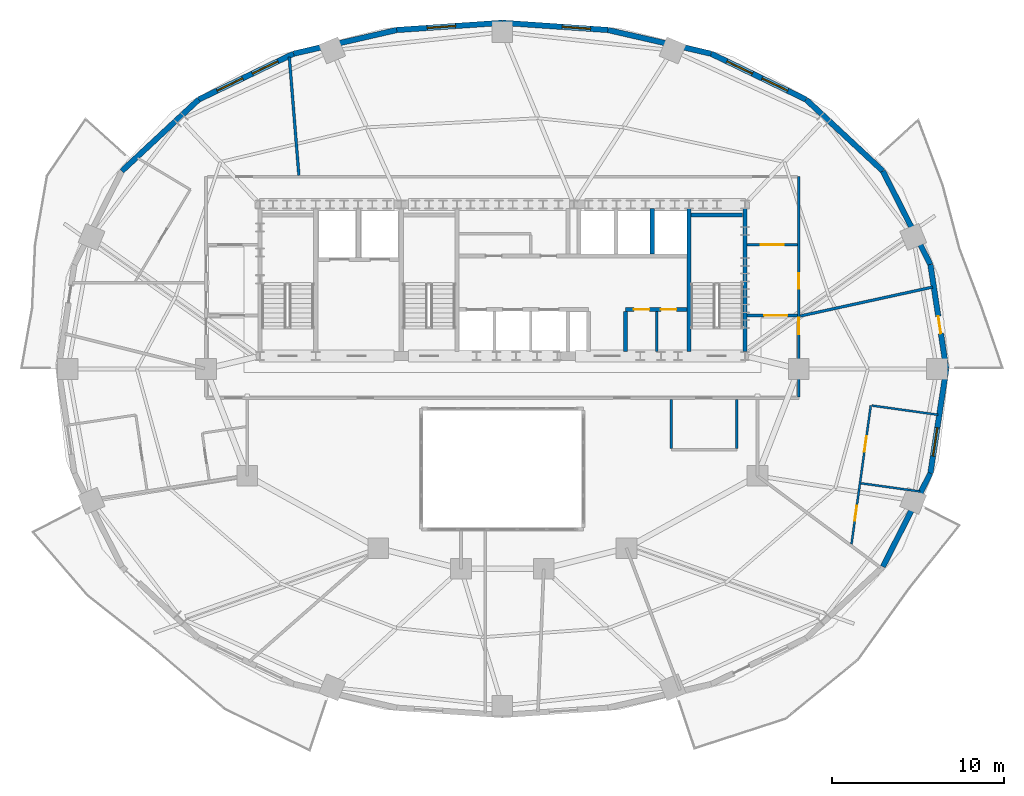
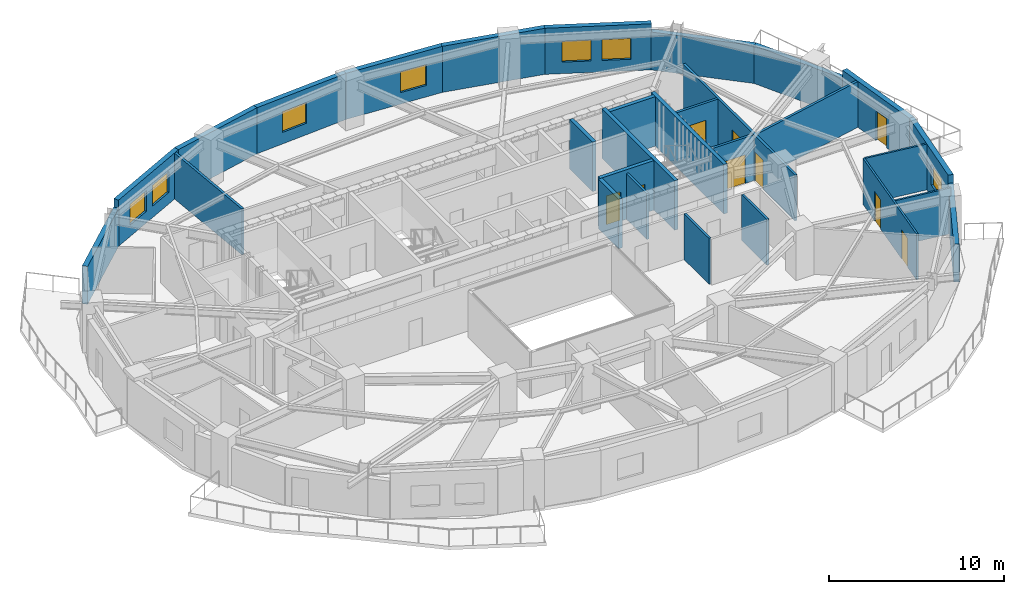
# One storey, part 8 of 12: 29 walls, 9 doors, 7 windows, 16 openings.
"""IFC4 building model written with IfcOpenShell, lengths in metres."""

import ifcopenshell
import ifcopenshell.guid

model = None  # the IFC model being written
_history = None  # IfcOwnerHistory: only IFC2X3 demands one
_inside = {}  # id of a spatial element -> (the spatial element, [elements in it])
_under = {}  # id of a project, library or spatial element -> (it, [spatial elements below it])
_declared = {}  # id of a project -> (the project, [libraries it declares])
_typed = {}  # id of a type object -> (the type object, [elements of that type])
_made_of = {}  # id of a material, layer set ... -> (it, [elements and type objects made of it])


def new_model(schema):
    """Start an empty IFC model of exactly this schema.

    Asked for "IFC4X3", IfcOpenShell would pick the latest addendum, in which some entities
    have other attributes; the version numbers below select the first issue.
    IFC2X3 requires an IfcOwnerHistory on every rooted entity: one is made here for all.
    """
    global model, _history
    if schema == "IFC4X3":
        model = ifcopenshell.file(schema_version=(4, 3, 0, 0))
    else:
        model = ifcopenshell.file(schema=schema)
    _inside.clear()
    _under.clear()
    _declared.clear()
    _typed.clear()
    _made_of.clear()
    _history = None
    if model.schema == "IFC2X3":
        org = make("IfcOrganization", Name="unknown")
        user = make(
            "IfcPersonAndOrganization",
            ThePerson=make("IfcPerson", FamilyName="unknown"),
            TheOrganization=org,
        )
        app = make(
            "IfcApplication",
            ApplicationDeveloper=org,
            Version="unknown",
            ApplicationFullName="unknown",
            ApplicationIdentifier="unknown",
        )
        _history = make(
            "IfcOwnerHistory",
            OwningUser=user,
            OwningApplication=app,
            ChangeAction="ADDED",
            CreationDate=0,
        )
    return model


def make(cls, **values):
    """One entity of the class cls with the attributes given. An attribute that is None is left unset."""
    return model.create_entity(
        cls, **{name: value for name, value in values.items() if value is not None}
    )


def rooted(cls, **values):
    """An entity with a GlobalId (a new one), such as an element, a storey or a relation."""
    return make(cls, GlobalId=ifcopenshell.guid.new(), OwnerHistory=_history, **values)


def si_unit(unit_type, name, prefix=None):
    """IfcSIUnit, for example si_unit("LENGTHUNIT", "METRE", prefix="MILLI")."""
    return make("IfcSIUnit", UnitType=unit_type, Prefix=prefix, Name=name)


def assignment(units):
    """IfcUnitAssignment: the units of a project."""
    return None if units is None else make("IfcUnitAssignment", Units=units)


def point(xyz):
    """IfcCartesianPoint."""
    return None if xyz is None else make("IfcCartesianPoint", Coordinates=xyz)


def direction(xyz):
    """IfcDirection."""
    return None if xyz is None else make("IfcDirection", DirectionRatios=xyz)


def frame(location, z_axis=None, x_axis=None):
    """IfcAxis2Placement3D, a coordinate frame: its origin and axes. An axis left out is left unset."""
    return make(
        "IfcAxis2Placement3D",
        Location=point(location),
        Axis=direction(z_axis),
        RefDirection=direction(x_axis),
    )


def frame_2d(location, x_axis=None):
    """IfcAxis2Placement2D, a coordinate frame in the plane: its origin and x axis."""
    return make(
        "IfcAxis2Placement2D", Location=point(location), RefDirection=direction(x_axis)
    )


def origin():
    """The frame at (0, 0, 0) with its axes left unset."""
    return frame((0.0, 0.0, 0.0))


def place(relative_to, where):
    """IfcLocalPlacement: puts the frame where relative to a parent placement (None: the world)."""
    return make(
        "IfcLocalPlacement", PlacementRelTo=relative_to, RelativePlacement=where
    )


def context(
    kind, dimensions, precision=None, world=None, true_north=None, identifier=None
):
    """IfcGeometricRepresentationContext, for example the 3D "Model" context."""
    return make(
        "IfcGeometricRepresentationContext",
        ContextIdentifier=identifier,
        ContextType=kind,
        CoordinateSpaceDimension=dimensions,
        Precision=precision,
        WorldCoordinateSystem=world,
        TrueNorth=true_north,
    )


def subcontext(parent, identifier, kind, view, scale=None):
    """IfcGeometricRepresentationSubContext, for example "Body" below "Model"."""
    return make(
        "IfcGeometricRepresentationSubContext",
        ContextIdentifier=identifier,
        ContextType=kind,
        ParentContext=parent,
        TargetScale=scale,
        TargetView=view,
    )


def project(units=None, contexts=None):
    """IfcProject with its units and contexts."""
    return rooted(
        "IfcProject",
        Name="project",
        RepresentationContexts=contexts,
        UnitsInContext=assignment(units),
    )


def spatial(cls, under=None, at=None, **own):
    """A site, building, storey or space (cls), placed at a placement, below another one or the project."""
    s = rooted(cls, ObjectPlacement=at, **own)
    if under is not None:
        _under.setdefault(under.id(), (under, []))[1].append(s)
    return s


def profile(cls, at=None, kind="AREA", **sizes):
    """A parametric profile (cls). Its sizes go by their IFC names, for example OverallWidth=200.0."""
    return make(cls, ProfileType=kind, Position=at, **sizes)


def rectangle(**sizes):
    """IfcRectangleProfileDef."""
    return profile("IfcRectangleProfileDef", **sizes)


def extrude(swept, where, along, depth):
    """IfcExtrudedAreaSolid: the profile swept, set in the frame where, extruded along a direction by depth."""
    return make(
        "IfcExtrudedAreaSolid",
        SweptArea=swept,
        Position=where,
        ExtrudedDirection=direction(along),
        Depth=depth,
    )


def shape(context_of_items, identifier, shape_type, items):
    """IfcShapeRepresentation: the items that make up one representation, for example the "Body"."""
    return make(
        "IfcShapeRepresentation",
        ContextOfItems=context_of_items,
        RepresentationIdentifier=identifier,
        RepresentationType=shape_type,
        Items=items,
    )


def material(Name=None, Category=None):
    """IfcMaterial."""
    return make("IfcMaterial", Name=Name, Category=Category)


def layer(
    of_material, thickness, ventilated=None, Name=None, Category=None, Priority=None
):
    """IfcMaterialLayer: one layer of a wall or slab, of a material (None: an air gap)."""
    return make(
        "IfcMaterialLayer",
        Material=of_material,
        LayerThickness=thickness,
        IsVentilated=ventilated,
        Name=Name,
        Category=Category,
        Priority=Priority,
    )


def layer_set(layers, Name=None):
    """IfcMaterialLayerSet."""
    return make("IfcMaterialLayerSet", MaterialLayers=layers, LayerSetName=Name)


def made_of(thing, what):
    """Note that an element or type object is made of a material, layer set ...; save() writes the relation."""
    if what is not None:
        _made_of.setdefault(what.id(), (what, []))[1].append(thing)
    return thing


def type_object(cls, material=None, **own):
    """A type object (cls), such as IfcWallType, which elements share."""
    return made_of(rooted(cls, **own), material)


def element(
    cls,
    number,
    at=None,
    inside=None,
    cuts=None,
    type_object=None,
    material=None,
    context=None,
    identifier="Body",
    shape_type=None,
    held_by="IfcProductDefinitionShape",
    body=None,
    shapes=None,
    **own,
):
    """One element of the class cls, such as IfcWall. Its Tag is "e" and its number.

    at: its placement. inside: the storey or other place that contains it. cuts: it is an
    opening in that element (IfcRelVoidsElement). A single representation is given by context,
    identifier, shape_type and body (its items); several are given by shapes. held_by: the class
    of the entity that holds the representations. save() writes the other relations.
    """
    e = rooted(cls, Tag="e%d" % number, ObjectPlacement=at, **own)
    if body is not None:
        shapes = [shape(context, identifier, shape_type, body)]
    if shapes is not None:
        e.Representation = make(held_by, Representations=shapes)
    if inside is not None:
        _inside.setdefault(inside.id(), (inside, []))[1].append(e)
    if cuts is not None:
        rooted(
            "IfcRelVoidsElement", RelatingBuildingElement=cuts, RelatedOpeningElement=e
        )
    if type_object is not None:
        _typed.setdefault(type_object.id(), (type_object, []))[1].append(e)
    return made_of(e, material)


def fill(opening, filler):
    """IfcRelFillsElement: the door or window that sits in an opening."""
    return rooted(
        "IfcRelFillsElement",
        RelatingOpeningElement=opening,
        RelatedBuildingElement=filler,
    )


def aggregate(whole, parts):
    """IfcRelAggregates: a whole, such as a stair, and the parts it consists of."""
    return rooted("IfcRelAggregates", RelatingObject=whole, RelatedObjects=parts)


def save(model, path):
    """Write the relations noted so far, then the file.

    IfcRelAggregates (storeys below a building ...), IfcRelContainedInSpatialStructure (elements
    in a storey), IfcRelDefinesByType, IfcRelAssociatesMaterial and IfcRelDeclares: one each for
    every whole, place, type object, material and project.
    """
    for whole, parts in _under.values():
        aggregate(whole, parts)
    for where, things in _inside.values():
        rooted(
            "IfcRelContainedInSpatialStructure",
            RelatedElements=things,
            RelatingStructure=where,
        )
    for kind, things in _typed.values():
        rooted("IfcRelDefinesByType", RelatedObjects=things, RelatingType=kind)
    for what, things in _made_of.values():
        rooted("IfcRelAssociatesMaterial", RelatedObjects=things, RelatingMaterial=what)
    for by, libraries in _declared.values():
        rooted("IfcRelDeclares", RelatingContext=by, RelatedDefinitions=libraries)
    model.write(path)


model = new_model("IFC4")

# Units and contexts
model_context = context("Model", 3, precision=1e-05, world=origin(), true_north=direction((0.0, 1.0)))
body_context = subcontext(model_context, "Body", "Model", "MODEL_VIEW")
ifc_project = project(units=[si_unit("LENGTHUNIT", "METRE"), si_unit("AREAUNIT", "SQUARE_METRE"), si_unit("VOLUMEUNIT", "CUBIC_METRE"), si_unit("PLANEANGLEUNIT", "RADIAN"), si_unit("MASSUNIT", "GRAM", prefix="KILO")], contexts=[model_context])

# Site, building, storey
site_placement = place(None, origin())
site = spatial("IfcSite", under=ifc_project, at=site_placement, CompositionType="ELEMENT")
building_placement = place(site_placement, origin())
building = spatial("IfcBuilding", under=site, at=building_placement, Name="Haldorwick Loom Tower", CompositionType="ELEMENT")
storey_placement = place(building_placement, frame((0.0, 0.0, 157.89990234375)))
storey = spatial("IfcBuildingStorey", under=building, at=storey_placement, Name="L42", CompositionType="ELEMENT", Elevation=157.89990234375)

# Wall, opening, door
ifc_material_1 = material(Name="Pressed Clay Face Brick and Insulated Masonry Backup Assembly", Category="masonry")
ifc_layer_1 = layer(ifc_material_1, 0.320068359375, Name="Pressed Clay Face Brick and Insulated Masonry Backup Assembly", Category="masonry")
ifc_layer_set_1 = layer_set([ifc_layer_1], Name="Pressed Clay Face Brick and Insulated Masonry Backup Assembly")
wall_type_1 = type_object("IfcWallType", Name="ARC-WL-EXT320", PredefinedType="STANDARD", material=ifc_layer_set_1)
wall_1_placement = place(storey_placement, frame((61.757080078125, 26.0, 0.0), z_axis=(0.0, 0.0, 1.0), x_axis=(-0.150544467684, 0.988603238539, 0.0)))
wall_1 = element("IfcWall", 1, at=wall_1_placement, inside=storey, type_object=wall_type_1, Name="L42 Brick Pier and Spandrel Wall 1", PredefinedType="STANDARD", context=body_context, shape_type="SweptSolid", body=[
    extrude(rectangle(XDim=6.125244140625, YDim=0.320068359375, at=frame_2d((3.0625, 0.0))), origin(), (0.0, 0.0, 1.0), 3.210205078125),
])
opening_1_placement = place(wall_1_placement, frame((2.08203125, 0.0, 0.0)))
opening_1 = element("IfcOpeningElement", 2, at=opening_1_placement, cuts=wall_1, Name="Opening D-BL10", PredefinedType="OPENING", context=body_context, shape_type="SweptSolid", body=[
    extrude(rectangle(XDim=1.0, YDim=2.0400390625, at=frame_2d((0.5, 1.02001953125))), frame((0.0, 0.169921875, 0.0), z_axis=(0.0, -1.0, 0.0), x_axis=(1.0, 0.0, 0.0)), (0.0, 0.0, 1.0), 0.340087890625),
])
ifc_material_2 = material(Name="Thermally Broken Anodized Aluminium Curtain Wall Framing", Category="aluminium")
door_type_1 = type_object("IfcDoorType", Name="ARC-DR-BAL100", OperationType="NOTDEFINED", PredefinedType="DOOR", material=ifc_material_2)
door_1_placement = place(opening_1_placement, origin())
door_1 = element("IfcDoor", 3, at=door_1_placement, inside=storey, type_object=door_type_1, Name="L42 Outdoor Terrace Door SLB-L42-BAL_ENE", OperationType="SINGLE_SWING_RIGHT", OverallHeight=2.0400390625, OverallWidth=1.0, PredefinedType="DOOR", context=body_context, shape_type="SweptSolid", body=[
    extrude(rectangle(XDim=1.0, YDim=2.0400390625, at=frame_2d((0.5, 1.02001953125))), frame((0.0, 0.02490234375, 0.0), z_axis=(0.0, -1.0, 0.0), x_axis=(1.0, 0.0, 0.0)), (0.0, 0.0, 1.0), 0.050048828125),
])
fill(opening_1, door_1)

# Walls
wall_2_placement = place(storey_placement, frame((60.8349609375, 32.055419921875, 0.0), z_axis=(0.0, 0.0, 1.0), x_axis=(-0.453172129629, 0.89142303141, 0.0)))
element("IfcWall", 4, at=wall_2_placement, inside=storey, type_object=wall_type_1, Name="L42 Brick Pier and Spandrel Wall 2", PredefinedType="STANDARD", context=body_context, shape_type="SweptSolid", body=[
    extrude(rectangle(XDim=6.086669921875, YDim=0.320068359375, at=frame_2d((3.04345703125, 0.0))), origin(), (0.0, 0.0, 1.0), 2.64111328125),
])
wall_3_placement = place(storey_placement, frame((58.07666015625, 37.481201171875, 0.0), z_axis=(0.0, 0.0, 1.0), x_axis=(-0.732001571644, 0.681302942244, 0.0)))
element("IfcWall", 5, at=wall_3_placement, inside=storey, type_object=wall_type_1, Name="L42 Brick Pier and Spandrel Wall 3", PredefinedType="STANDARD", context=body_context, shape_type="SweptSolid", body=[
    extrude(rectangle(XDim=6.0869140625, YDim=0.320068359375, at=frame_2d((3.04345703125, 0.0))), origin(), (0.0, 0.0, 1.0), 2.64111328125),
])

# Wall, openings, windows
wall_4_placement = place(storey_placement, frame((53.62109375, 41.628173828125, 0.0), z_axis=(0.0, 0.0, 1.0), x_axis=(-0.900472429216, 0.43491309962, 0.0)))
wall_4 = element("IfcWall", 6, at=wall_4_placement, inside=storey, type_object=wall_type_1, Name="L42 Brick Pier and Spandrel Wall 4", PredefinedType="STANDARD", context=body_context, shape_type="SweptSolid", body=[
    extrude(rectangle(XDim=6.1181640625, YDim=0.320068359375, at=frame_2d((3.05908203125, 0.0))), origin(), (0.0, 0.0, 1.0), 3.210205078125),
])
opening_2_placement = place(wall_4_placement, frame((1.181884765625, 0.0, 0.800048828125)))
opening_2 = element("IfcOpeningElement", 7, at=opening_2_placement, cuts=wall_4, Name="Opening W-01B", PredefinedType="OPENING", context=body_context, shape_type="SweptSolid", body=[
    extrude(rectangle(XDim=1.64990234375, YDim=1.449951171875, at=frame_2d((0.824951171875, 0.72509765625))), frame((0.0, 0.169921875, 0.0), z_axis=(0.0, -1.0, 0.0), x_axis=(1.0, 0.0, 0.0)), (0.0, 0.0, 1.0), 0.340087890625),
])
opening_3_placement = place(wall_4_placement, frame((3.4580078125, 0.0, 0.800048828125)))
opening_3 = element("IfcOpeningElement", 8, at=opening_3_placement, cuts=wall_4, Name="Opening W-01B", PredefinedType="OPENING", context=body_context, shape_type="SweptSolid", body=[
    extrude(rectangle(XDim=1.64990234375, YDim=1.449951171875, at=frame_2d((0.824951171875, 0.72509765625))), frame((0.0, 0.169921875, 0.0), z_axis=(0.0, -1.0, 0.0), x_axis=(1.0, 0.0, 0.0)), (0.0, 0.0, 1.0), 0.340087890625),
])
ifc_material_3 = material(Name="Triple-Glazed Low-E Argon Insulated Glazing Unit", Category="glass")
window_type = type_object("IfcWindowType", Name="ARC-WIN-W165", PartitioningType="SINGLE_PANEL", PredefinedType="WINDOW", material=ifc_material_3)
window_1_placement = place(opening_2_placement, origin())
window_1 = element("IfcWindow", 9, at=window_1_placement, inside=storey, type_object=window_type, Name="L42 Deep-Set Zone 7A Window 4", OverallHeight=1.449951171875, OverallWidth=1.64990234375, PartitioningType="SINGLE_PANEL", PredefinedType="WINDOW", context=body_context, shape_type="SweptSolid", body=[
    extrude(rectangle(XDim=1.64990234375, YDim=1.449951171875, at=frame_2d((0.824951171875, 0.72509765625))), frame((0.0, 0.030029296875, 0.0), z_axis=(0.0, -1.0, 0.0), x_axis=(1.0, 0.0, 0.0)), (0.0, 0.0, 1.0), 0.06005859375),
])
fill(opening_2, window_1)
window_2_placement = place(opening_3_placement, origin())
window_2 = element("IfcWindow", 10, at=window_2_placement, inside=storey, type_object=window_type, Name="L42 Deep-Set Zone 7A Window 4", OverallHeight=1.449951171875, OverallWidth=1.64990234375, PartitioningType="SINGLE_PANEL", PredefinedType="WINDOW", context=body_context, shape_type="SweptSolid", body=[
    extrude(rectangle(XDim=1.64990234375, YDim=1.449951171875, at=frame_2d((0.824951171875, 0.72509765625))), frame((0.0, 0.030029296875, 0.0), z_axis=(0.0, -1.0, 0.0), x_axis=(1.0, 0.0, 0.0)), (0.0, 0.0, 1.0), 0.06005859375),
])
fill(opening_3, window_2)

# Wall
wall_5_placement = place(storey_placement, frame((48.11181640625, 44.2890625, 0.0), z_axis=(0.0, 0.0, 1.0), x_axis=(-0.974593223547, 0.223982250674, 0.0)))
element("IfcWall", 11, at=wall_5_placement, inside=storey, type_object=wall_type_1, Name="L42 Brick Pier and Spandrel Wall 5", PredefinedType="STANDARD", context=body_context, shape_type="SweptSolid", body=[
    extrude(rectangle(XDim=6.138916015625, YDim=0.320068359375, at=frame_2d((3.0693359375, 0.0))), origin(), (0.0, 0.0, 1.0), 3.210205078125),
])

# Wall, opening, window
wall_6_placement = place(storey_placement, frame((42.12890625, 45.6640625, 0.0), z_axis=(0.0, 0.0, 1.0), x_axis=(-0.997652942988, 0.068473391522, 0.0)))
wall_6 = element("IfcWall", 12, at=wall_6_placement, inside=storey, type_object=wall_type_1, Name="L42 Brick Pier and Spandrel Wall 6", PredefinedType="STANDARD", context=body_context, shape_type="SweptSolid", body=[
    extrude(rectangle(XDim=6.143310546875, YDim=0.320068359375, at=frame_2d((3.07177734375, 0.0))), origin(), (0.0, 0.0, 1.0), 3.210205078125),
])
opening_4_placement = place(wall_6_placement, frame((1.01806640625, 0.0, 0.800048828125)))
opening_4 = element("IfcOpeningElement", 13, at=opening_4_placement, cuts=wall_6, Name="Opening W-01B", PredefinedType="OPENING", context=body_context, shape_type="SweptSolid", body=[
    extrude(rectangle(XDim=1.64990234375, YDim=1.449951171875, at=frame_2d((0.824951171875, 0.72509765625))), frame((0.0, 0.169921875, 0.0), z_axis=(0.0, -1.0, 0.0), x_axis=(1.0, 0.0, 0.0)), (0.0, 0.0, 1.0), 0.340087890625),
])
window_3_placement = place(opening_4_placement, origin())
window_3 = element("IfcWindow", 14, at=window_3_placement, inside=storey, type_object=window_type, Name="L42 Deep-Set Zone 7A Window 6", OverallHeight=1.449951171875, OverallWidth=1.64990234375, PartitioningType="SINGLE_PANEL", PredefinedType="WINDOW", context=body_context, shape_type="SweptSolid", body=[
    extrude(rectangle(XDim=1.64990234375, YDim=1.449951171875, at=frame_2d((0.824951171875, 0.72509765625))), frame((0.0, 0.030029296875, 0.0), z_axis=(0.0, -1.0, 0.0), x_axis=(1.0, 0.0, 0.0)), (0.0, 0.0, 1.0), 0.06005859375),
])
fill(opening_4, window_3)

wall_7_placement = place(storey_placement, frame((36.0, 46.084716796875, 0.0), z_axis=(0.0, 0.0, 1.0), x_axis=(-0.997652942988, -0.068473391522, 0.0)))
wall_7 = element("IfcWall", 15, at=wall_7_placement, inside=storey, type_object=wall_type_1, Name="L42 Brick Pier and Spandrel Wall 7", PredefinedType="STANDARD", context=body_context, shape_type="SweptSolid", body=[
    extrude(rectangle(XDim=6.143310546875, YDim=0.320068359375, at=frame_2d((3.07177734375, 0.0))), origin(), (0.0, 0.0, 1.0), 3.210205078125),
])
opening_5_placement = place(wall_7_placement, frame((2.723388671875, 0.0, 0.800048828125)))
opening_5 = element("IfcOpeningElement", 16, at=opening_5_placement, cuts=wall_7, Name="Opening W-01B", PredefinedType="OPENING", context=body_context, shape_type="SweptSolid", body=[
    extrude(rectangle(XDim=1.64990234375, YDim=1.449951171875, at=frame_2d((0.824951171875, 0.72509765625))), frame((0.0, 0.169921875, 0.0), z_axis=(0.0, -1.0, 0.0), x_axis=(1.0, 0.0, 0.0)), (0.0, 0.0, 1.0), 0.340087890625),
])
window_4_placement = place(opening_5_placement, origin())
window_4 = element("IfcWindow", 17, at=window_4_placement, inside=storey, type_object=window_type, Name="L42 Deep-Set Zone 7A Window 7", OverallHeight=1.449951171875, OverallWidth=1.64990234375, PartitioningType="SINGLE_PANEL", PredefinedType="WINDOW", context=body_context, shape_type="SweptSolid", body=[
    extrude(rectangle(XDim=1.64990234375, YDim=1.449951171875, at=frame_2d((0.824951171875, 0.72509765625))), frame((0.0, 0.030029296875, 0.0), z_axis=(0.0, -1.0, 0.0), x_axis=(1.0, 0.0, 0.0)), (0.0, 0.0, 1.0), 0.06005859375),
])
fill(opening_5, window_4)

# Wall
wall_8_placement = place(storey_placement, frame((29.87109375, 45.6640625, 0.0), z_axis=(0.0, 0.0, 1.0), x_axis=(-0.974593223547, -0.223982250674, 0.0)))
element("IfcWall", 18, at=wall_8_placement, inside=storey, type_object=wall_type_1, Name="L42 Brick Pier and Spandrel Wall 8", PredefinedType="STANDARD", context=body_context, shape_type="SweptSolid", body=[
    extrude(rectangle(XDim=6.138916015625, YDim=0.320068359375, at=frame_2d((3.0693359375, 0.0))), origin(), (0.0, 0.0, 1.0), 3.210205078125),
])

# Wall, openings, windows
wall_9_placement = place(storey_placement, frame((23.88818359375, 44.2890625, 0.0), z_axis=(0.0, 0.0, 1.0), x_axis=(-0.900479976617, -0.434897472644, 0.0)))
wall_9 = element("IfcWall", 19, at=wall_9_placement, inside=storey, type_object=wall_type_1, Name="L42 Brick Pier and Spandrel Wall 9", PredefinedType="STANDARD", context=body_context, shape_type="SweptSolid", body=[
    extrude(rectangle(XDim=6.118408203125, YDim=0.320068359375, at=frame_2d((3.05908203125, 0.0))), origin(), (0.0, 0.0, 1.0), 3.210205078125),
])
opening_6_placement = place(wall_9_placement, frame((1.010498046875, 0.0, 0.800048828125)))
opening_6 = element("IfcOpeningElement", 20, at=opening_6_placement, cuts=wall_9, Name="Opening W-01B", PredefinedType="OPENING", context=body_context, shape_type="SweptSolid", body=[
    extrude(rectangle(XDim=1.64990234375, YDim=1.449951171875, at=frame_2d((0.824951171875, 0.72509765625))), frame((0.0, 0.169921875, 0.0), z_axis=(0.0, -1.0, 0.0), x_axis=(1.0, 0.0, 0.0)), (0.0, 0.0, 1.0), 0.340087890625),
])
opening_7_placement = place(wall_9_placement, frame((3.28662109375, 0.0, 0.800048828125)))
opening_7 = element("IfcOpeningElement", 21, at=opening_7_placement, cuts=wall_9, Name="Opening W-01B", PredefinedType="OPENING", context=body_context, shape_type="SweptSolid", body=[
    extrude(rectangle(XDim=1.64990234375, YDim=1.449951171875, at=frame_2d((0.824951171875, 0.72509765625))), frame((0.0, 0.169921875, 0.0), z_axis=(0.0, -1.0, 0.0), x_axis=(1.0, 0.0, 0.0)), (0.0, 0.0, 1.0), 0.340087890625),
])
window_5_placement = place(opening_6_placement, origin())
window_5 = element("IfcWindow", 22, at=window_5_placement, inside=storey, type_object=window_type, Name="L42 Deep-Set Zone 7A Window 9", OverallHeight=1.449951171875, OverallWidth=1.64990234375, PartitioningType="SINGLE_PANEL", PredefinedType="WINDOW", context=body_context, shape_type="SweptSolid", body=[
    extrude(rectangle(XDim=1.64990234375, YDim=1.449951171875, at=frame_2d((0.824951171875, 0.72509765625))), frame((0.0, 0.030029296875, 0.0), z_axis=(0.0, -1.0, 0.0), x_axis=(1.0, 0.0, 0.0)), (0.0, 0.0, 1.0), 0.06005859375),
])
fill(opening_6, window_5)
window_6_placement = place(opening_7_placement, origin())
window_6 = element("IfcWindow", 23, at=window_6_placement, inside=storey, type_object=window_type, Name="L42 Deep-Set Zone 7A Window 9", OverallHeight=1.449951171875, OverallWidth=1.64990234375, PartitioningType="SINGLE_PANEL", PredefinedType="WINDOW", context=body_context, shape_type="SweptSolid", body=[
    extrude(rectangle(XDim=1.64990234375, YDim=1.449951171875, at=frame_2d((0.824951171875, 0.72509765625))), frame((0.0, 0.030029296875, 0.0), z_axis=(0.0, -1.0, 0.0), x_axis=(1.0, 0.0, 0.0)), (0.0, 0.0, 1.0), 0.06005859375),
])
fill(opening_7, window_6)

# Walls
for number, where, z_axis, x_axis, name in (
    (24, (18.378662109375, 41.628173828125, 0.0), (0.0, 0.0, 1.0), (-0.731982952968, -0.681322945866, 0.0), "L42 Brick Pier and Spandrel Wall 10"),
    (25, (58.07666015625, 14.518798828125, 0.0), (0.0, 0.0, 1.0), (0.453172129629, 0.89142303141, 0.0), "L42 Brick Pier and Spandrel Wall 23"),
):
    element("IfcWall", number, at=place(storey_placement, frame(where, z_axis=z_axis, x_axis=x_axis)), inside=storey, type_object=wall_type_1, Name=name, PredefinedType="STANDARD", context=body_context, shape_type="SweptSolid", body=[
        extrude(rectangle(XDim=6.086669921875, YDim=0.320068359375, at=frame_2d((3.04345703125, 0.0))), origin(), (0.0, 0.0, 1.0), 2.64111328125),
    ])

# Wall, opening, window
wall_10_placement = place(storey_placement, frame((60.8349609375, 19.944580078125, 0.0), z_axis=(0.0, 0.0, 1.0), x_axis=(0.150544467684, 0.988603238539, 0.0)))
wall_10 = element("IfcWall", 26, at=wall_10_placement, inside=storey, type_object=wall_type_1, Name="L42 Brick Pier and Spandrel Wall 24", PredefinedType="STANDARD", context=body_context, shape_type="SweptSolid", body=[
    extrude(rectangle(XDim=6.125244140625, YDim=0.320068359375, at=frame_2d((3.0625, 0.0))), origin(), (0.0, 0.0, 1.0), 3.210205078125),
])
opening_8_placement = place(wall_10_placement, frame((1.0126953125, 0.0, 0.800048828125)))
opening_8 = element("IfcOpeningElement", 27, at=opening_8_placement, cuts=wall_10, Name="Opening W-01B", PredefinedType="OPENING", context=body_context, shape_type="SweptSolid", body=[
    extrude(rectangle(XDim=1.64990234375, YDim=1.449951171875, at=frame_2d((0.824951171875, 0.72509765625))), frame((0.0, 0.169921875, 0.0), z_axis=(0.0, -1.0, 0.0), x_axis=(1.0, 0.0, 0.0)), (0.0, 0.0, 1.0), 0.340087890625),
])
window_7_placement = place(opening_8_placement, origin())
window_7 = element("IfcWindow", 28, at=window_7_placement, inside=storey, type_object=window_type, Name="L42 Deep-Set Zone 7A Window 24", OverallHeight=1.449951171875, OverallWidth=1.64990234375, PartitioningType="SINGLE_PANEL", PredefinedType="WINDOW", context=body_context, shape_type="SweptSolid", body=[
    extrude(rectangle(XDim=1.64990234375, YDim=1.449951171875, at=frame_2d((0.824951171875, 0.72509765625))), frame((0.0, 0.030029296875, 0.0), z_axis=(0.0, -1.0, 0.0), x_axis=(1.0, 0.0, 0.0)), (0.0, 0.0, 1.0), 0.06005859375),
])
fill(opening_8, window_7)

# Wall, openings, doors
ifc_material_4 = material(Name="Fire-Rated Type X Gypsum Stud Assembly EI 60")
ifc_layer_2 = layer(ifc_material_4, 0.159912109375, Name="Fire-Rated Type X Gypsum Stud Assembly EI 60")
ifc_layer_set_2 = layer_set([ifc_layer_2], Name="Fire-Rated Type X Gypsum Stud Assembly EI 60")
wall_type_2 = type_object("IfcWallType", Name="ARC-WL-FIRE160", PredefinedType="PARTITIONING", material=ifc_layer_set_2)
wall_11_placement = place(storey_placement, frame((53.199951171875, 24.383056640625, 0.0), z_axis=(0.0, 0.0, 1.0), x_axis=(0.0, 1.0, 0.0)))
wall_11 = element("IfcWall", 29, at=wall_11_placement, inside=storey, type_object=wall_type_2, Name="L42 Residential Fire Partition L42-CR-E0", PredefinedType="PARTITIONING", context=body_context, shape_type="SweptSolid", body=[
    extrude(rectangle(XDim=12.766845703125, YDim=0.159912109375, at=frame_2d((6.38330078125, 0.0))), origin(), (0.0, 0.0, 1.0), 3.195068359375),
])
opening_9_placement = place(wall_11_placement, frame((3.63232421875, 0.0, 0.0)))
opening_9 = element("IfcOpeningElement", 30, at=opening_9_placement, cuts=wall_11, Name="Opening D-FL95", PredefinedType="OPENING", context=body_context, shape_type="SweptSolid", body=[
    extrude(rectangle(XDim=0.949951171875, YDim=2.0400390625, at=frame_2d((0.47509765625, 1.02001953125))), frame((0.0, 0.08984375, 0.0), z_axis=(0.0, -1.0, 0.0), x_axis=(1.0, 0.0, 0.0)), (0.0, 0.0, 1.0), 0.179931640625),
])
opening_10_placement = place(wall_11_placement, frame((6.263671875, 0.0, 0.0)))
opening_10 = element("IfcOpeningElement", 31, at=opening_10_placement, cuts=wall_11, Name="Opening D-FD60A", PredefinedType="OPENING", context=body_context, shape_type="SweptSolid", body=[
    extrude(rectangle(XDim=0.89990234375, YDim=2.0, at=frame_2d((0.449951171875, 1.0))), frame((0.0, 0.08984375, 0.0), z_axis=(0.0, -1.0, 0.0), x_axis=(1.0, 0.0, 0.0)), (0.0, 0.0, 1.0), 0.179931640625),
])
ifc_material_5 = material(Name="Hollow Steel Fire Door Assembly", Category="steel")
door_type_2 = type_object("IfcDoorType", Name="ARC-DR-FD60-90", OperationType="NOTDEFINED", PredefinedType="DOOR", material=ifc_material_5)
door_2_placement = place(opening_10_placement, frame((0.89990234375, 0.0, 0.0), z_axis=(0.0, 0.0, 1.0), x_axis=(-1.0, 0.0, 0.0)))
door_2 = element("IfcDoor", 32, at=door_2_placement, inside=storey, type_object=door_type_2, Name="L42 L42 East Residential Corridor to Co-Working Open Office 7 Door", OperationType="SINGLE_SWING_RIGHT", OverallHeight=2.0, OverallWidth=0.89990234375, PredefinedType="DOOR", context=body_context, shape_type="SweptSolid", body=[
    extrude(rectangle(XDim=0.89990234375, YDim=2.0, at=frame_2d((0.449951171875, 1.0))), frame((0.0, 0.02490234375, 0.0), z_axis=(0.0, -1.0, 0.0), x_axis=(1.0, 0.0, 0.0)), (0.0, 0.0, 1.0), 0.050048828125),
])
fill(opening_10, door_2)
ifc_material_6 = material(Name="Solid Core Birch Architectural Door")
door_type_3 = type_object("IfcDoorType", Name="ARC-DR-FLAT95", OperationType="NOTDEFINED", PredefinedType="DOOR", material=ifc_material_6)
door_3_placement = place(opening_9_placement, origin())
door_3 = element("IfcDoor", 33, at=door_3_placement, inside=storey, type_object=door_type_3, Name="L42 L42 Central Residential Corridor to Unit 42C Kitchen and Penthouse L", OperationType="SINGLE_SWING_LEFT", OverallHeight=2.0400390625, OverallWidth=0.949951171875, PredefinedType="DOOR", context=body_context, shape_type="SweptSolid", body=[
    extrude(rectangle(XDim=0.949951171875, YDim=2.0400390625, at=frame_2d((0.47509765625, 1.02001953125))), frame((0.0, 0.02490234375, 0.0), z_axis=(0.0, -1.0, 0.0), x_axis=(1.0, 0.0, 0.0)), (0.0, 0.0, 1.0), 0.050048828125),
])
fill(opening_9, door_3)

# Wall, opening, door
wall_12_placement = place(storey_placement, frame((50.193115234375, 29.10009765625, 0.0), z_axis=(0.0, 0.0, 1.0), x_axis=(1.0, 0.0, 0.0)))
wall_12 = element("IfcWall", 34, at=wall_12_placement, inside=storey, type_object=wall_type_2, Name="L42 Residential Fire Partition L42-CR-ESJ", PredefinedType="PARTITIONING", context=body_context, shape_type="SweptSolid", body=[
    extrude(rectangle(XDim=2.923828125, YDim=0.159912109375, at=frame_2d((1.4619140625, 0.0))), origin(), (0.0, 0.0, 1.0), 3.195068359375),
])
opening_11_placement = place(wall_12_placement, frame((0.99560546875, 0.0, 0.0)))
opening_11 = element("IfcOpeningElement", 35, at=opening_11_placement, cuts=wall_12, Name="Opening D-CR15", PredefinedType="OPENING", context=body_context, shape_type="SweptSolid", body=[
    extrude(rectangle(XDim=1.35009765625, YDim=2.0, at=frame_2d((0.675048828125, 1.0))), frame((0.0, 0.08984375, 0.0), z_axis=(0.0, -1.0, 0.0), x_axis=(1.0, 0.0, 0.0)), (0.0, 0.0, 1.0), 0.179931640625),
])
ifc_material_7 = material(Name="Thermally Broken Anodized Aluminium and Tempered Glass", Category="aluminium")
door_type_4 = type_object("IfcDoorType", Name="ARC-DR-COR150", OperationType="NOTDEFINED", PredefinedType="DOOR", material=ifc_material_7)
door_4_placement = place(opening_11_placement, origin())
door_4 = element("IfcDoor", 36, at=door_4_placement, inside=storey, type_object=door_type_4, Name="L42 L42 East Residential Corridor to L42 Central Residential Corridor Do", OperationType="DOUBLE_DOOR_SINGLE_SWING", OverallHeight=2.0, OverallWidth=1.35009765625, PredefinedType="DOOR", context=body_context, shape_type="SweptSolid", body=[
    extrude(rectangle(XDim=1.35009765625, YDim=2.0, at=frame_2d((0.675048828125, 1.0))), frame((0.0, 0.02490234375, 0.0), z_axis=(0.0, -1.0, 0.0), x_axis=(1.0, 0.0, 0.0)), (0.0, 0.0, 1.0), 0.050048828125),
])
fill(opening_11, door_4)

wall_13_placement = place(storey_placement, frame((50.193115234375, 33.199951171875, 0.0), z_axis=(0.0, 0.0, 1.0), x_axis=(1.0, 0.0, 0.0)))
wall_13 = element("IfcWall", 37, at=wall_13_placement, inside=storey, type_object=wall_type_2, Name="L42 Residential Fire Partition L42-CR-ENJ", PredefinedType="PARTITIONING", context=body_context, shape_type="SweptSolid", body=[
    extrude(rectangle(XDim=2.923828125, YDim=0.159912109375, at=frame_2d((1.4619140625, 0.0))), origin(), (0.0, 0.0, 1.0), 3.195068359375),
])
opening_12_placement = place(wall_13_placement, frame((0.787109375, 0.0, 0.0)))
opening_12 = element("IfcOpeningElement", 38, at=opening_12_placement, cuts=wall_13, Name="Opening D-CR15", PredefinedType="OPENING", context=body_context, shape_type="SweptSolid", body=[
    extrude(rectangle(XDim=1.35009765625, YDim=2.0, at=frame_2d((0.675048828125, 1.0))), frame((0.0, 0.08984375, 0.0), z_axis=(0.0, -1.0, 0.0), x_axis=(1.0, 0.0, 0.0)), (0.0, 0.0, 1.0), 0.179931640625),
])
door_5_placement = place(opening_12_placement, origin())
door_5 = element("IfcDoor", 39, at=door_5_placement, inside=storey, type_object=door_type_4, Name="L42 L42 North Residential Corridor to L42 East Residential Corridor Door", OperationType="DOUBLE_DOOR_SINGLE_SWING", OverallHeight=2.0, OverallWidth=1.35009765625, PredefinedType="DOOR", context=body_context, shape_type="SweptSolid", body=[
    extrude(rectangle(XDim=1.35009765625, YDim=2.0, at=frame_2d((0.675048828125, 1.0))), frame((0.0, 0.02490234375, 0.0), z_axis=(0.0, -1.0, 0.0), x_axis=(1.0, 0.0, 0.0)), (0.0, 0.0, 1.0), 0.050048828125),
])
fill(opening_12, door_5)

# Walls
wall_14_placement = place(storey_placement, frame((24.193359375, 37.23291015625, 0.0), z_axis=(0.0, 0.0, 1.0), x_axis=(-0.08081206035, 0.996729356898, 0.0)))
element("IfcWall", 40, at=wall_14_placement, inside=storey, type_object=wall_type_2, Name="L42 Residential Fire Partition L42-UPN-13", PredefinedType="PARTITIONING", context=body_context, shape_type="SweptSolid", body=[
    extrude(rectangle(XDim=6.885009765625, YDim=0.159912109375, at=frame_2d((3.4423828125, 0.0))), origin(), (0.0, 0.0, 1.0), 3.195068359375),
])
wall_15_placement = place(storey_placement, frame((53.282958984375, 29.06884765625, 0.0), z_axis=(0.0, 0.0, 1.0), x_axis=(0.976931186981, 0.213554339463, 0.0)))
element("IfcWall", 41, at=wall_15_placement, inside=storey, type_object=wall_type_2, Name="L42 Suite Split Wall", PredefinedType="PARTITIONING", context=body_context, shape_type="SweptSolid", body=[
    extrude(rectangle(XDim=7.866455078125, YDim=0.159912109375, at=frame_2d((3.93310546875, 0.0))), origin(), (0.0, 0.0, 1.0), 3.195068359375),
])

# Wall, openings, doors
ifc_material_8 = material(Name="Acoustic Gypsum Stud Assembly STC 55")
ifc_layer_3 = layer(ifc_material_8, 0.1201171875, Name="Acoustic Gypsum Stud Assembly STC 55")
ifc_layer_set_3 = layer_set([ifc_layer_3], Name="Acoustic Gypsum Stud Assembly STC 55")
wall_type_3 = type_object("IfcWallType", Name="ARC-WL-PART120", PredefinedType="PARTITIONING", material=ifc_layer_set_3)
wall_16_placement = place(storey_placement, frame((56.2568359375, 15.831787109375, 0.0), z_axis=(0.0, 0.0, 1.0), x_axis=(0.1379130141, 0.990444345, 0.0)))
wall_16 = element("IfcWall", 42, at=wall_16_placement, inside=storey, type_object=wall_type_3, Name="L42 Unit 42C Interior Partition", PredefinedType="PARTITIONING", context=body_context, shape_type="SweptSolid", body=[
    extrude(rectangle(XDim=8.127197265625, YDim=0.1201171875, at=frame_2d((4.0634765625, 0.0))), origin(), (0.0, 0.0, 1.0), 3.195068359375),
])
opening_13_placement = place(wall_16_placement, frame((5.419921875, 0.0, 0.0)))
opening_13 = element("IfcOpeningElement", 43, at=opening_13_placement, cuts=wall_16, Name="Opening D-IN90", PredefinedType="OPENING", context=body_context, shape_type="SweptSolid", body=[
    extrude(rectangle(XDim=0.89990234375, YDim=2.0400390625, at=frame_2d((0.449951171875, 1.02001953125))), frame((0.0, 0.070068359375, 0.0), z_axis=(0.0, -1.0, 0.0), x_axis=(1.0, 0.0, 0.0)), (0.0, 0.0, 1.0), 0.14013671875),
])
opening_14_placement = place(wall_16_placement, frame((1.3662109375, 0.0, 0.0)))
opening_14 = element("IfcOpeningElement", 44, at=opening_14_placement, cuts=wall_16, Name="Opening D-BT88", PredefinedType="OPENING", context=body_context, shape_type="SweptSolid", body=[
    extrude(rectangle(XDim=0.8798828125, YDim=2.02001953125, at=frame_2d((0.43994140625, 1.010009765625))), frame((0.0, 0.070068359375, 0.0), z_axis=(0.0, -1.0, 0.0), x_axis=(1.0, 0.0, 0.0)), (0.0, 0.0, 1.0), 0.14013671875),
])
door_type_5 = type_object("IfcDoorType", Name="ARC-DR-BATH88", OperationType="NOTDEFINED", PredefinedType="DOOR", material=ifc_material_6)
door_6_placement = place(opening_14_placement, origin())
door_6 = element("IfcDoor", 45, at=door_6_placement, inside=storey, type_object=door_type_5, Name="L42 Unit 42C Kitchen and Penthouse Living Room to Unit 42C Bathroom Door", OperationType="SINGLE_SWING_RIGHT", OverallHeight=2.02001953125, OverallWidth=0.8798828125, PredefinedType="DOOR", context=body_context, shape_type="SweptSolid", body=[
    extrude(rectangle(XDim=0.8798828125, YDim=2.02001953125, at=frame_2d((0.43994140625, 1.010009765625))), frame((0.0, 0.02490234375, 0.0), z_axis=(0.0, -1.0, 0.0), x_axis=(1.0, 0.0, 0.0)), (0.0, 0.0, 1.0), 0.050048828125),
])
fill(opening_14, door_6)
door_type_6 = type_object("IfcDoorType", Name="ARC-DR-INT90", OperationType="NOTDEFINED", PredefinedType="DOOR", material=ifc_material_6)
door_7_placement = place(opening_13_placement, origin())
door_7 = element("IfcDoor", 46, at=door_7_placement, inside=storey, type_object=door_type_6, Name="L42 Unit 42C Kitchen and Penthouse Living Room to Unit 42C Bedroom 1 Doo", OperationType="SINGLE_SWING_RIGHT", OverallHeight=2.0400390625, OverallWidth=0.89990234375, PredefinedType="DOOR", context=body_context, shape_type="SweptSolid", body=[
    extrude(rectangle(XDim=0.89990234375, YDim=2.0400390625, at=frame_2d((0.449951171875, 1.02001953125))), frame((0.0, 0.02490234375, 0.0), z_axis=(0.0, -1.0, 0.0), x_axis=(1.0, 0.0, 0.0)), (0.0, 0.0, 1.0), 0.050048828125),
])
fill(opening_13, door_7)

# Walls
wall_17_placement = place(storey_placement, frame((57.440185546875, 23.872802734375, 0.0), z_axis=(0.0, 0.0, 1.0), x_axis=(0.990438888991, -0.137952191623, 0.0)))
element("IfcWall", 47, at=wall_17_placement, inside=storey, type_object=wall_type_3, Name="L42 Unit 42C Interior Partition", PredefinedType="PARTITIONING", context=body_context, shape_type="SweptSolid", body=[
    extrude(rectangle(XDim=3.8828125, YDim=0.1201171875, at=frame_2d((1.94140625, 0.0))), origin(), (0.0, 0.0, 1.0), 3.195068359375),
])
wall_18_placement = place(storey_placement, frame((56.812255859375, 19.36376953125, 0.0), z_axis=(0.0, 0.0, 1.0), x_axis=(0.99043936958, -0.137948741153, 0.0)))
element("IfcWall", 48, at=wall_18_placement, inside=storey, type_object=wall_type_3, Name="L42 Unit 42C Interior Partition", PredefinedType="PARTITIONING", context=body_context, shape_type="SweptSolid", body=[
    extrude(rectangle(XDim=3.44580078125, YDim=0.1201171875, at=frame_2d((1.722900390625, 0.0))), origin(), (0.0, 0.0, 1.0), 3.195068359375),
])
ifc_layer_4 = layer(ifc_material_4, 0.139892578125, Name="Fire-Rated Type X Gypsum Stud Assembly EI 60")
ifc_layer_set_4 = layer_set([ifc_layer_4], Name="Fire-Rated Type X Gypsum Stud Assembly EI 60")
wall_type_4 = type_object("IfcWallType", Name="ARC-WL-PART140", PredefinedType="PARTITIONING", material=ifc_layer_set_4)
wall_19_placement = place(storey_placement, frame((44.949951171875, 27.0029296875, 0.0), z_axis=(0.0, 0.0, 1.0), x_axis=(0.0, 1.0, 0.0)))
element("IfcWall", 49, at=wall_19_placement, inside=storey, type_object=wall_type_4, Name="L42 Service Partition", PredefinedType="PARTITIONING", context=body_context, shape_type="SweptSolid", body=[
    extrude(rectangle(XDim=2.323974609375, YDim=0.139892578125, at=frame_2d((1.162109375, 0.0))), origin(), (0.0, 0.0, 1.0), 3.195068359375),
])
for number, where, z_axis, x_axis, name in (
    (50, (45.800048828125, 21.373046875, 0.0), (0.0, 0.0, 1.0), (0.0, 1.0, 0.0), "L42 Residential Fire Partition L42-CWC-W"),
    (51, (49.60009765625, 21.373046875, 0.0), (0.0, 0.0, 1.0), (0.0, 1.0, 0.0), "L42 Residential Fire Partition L42-CWC-E"),
):
    element("IfcWall", number, at=place(storey_placement, frame(where, z_axis=z_axis, x_axis=x_axis)), inside=storey, type_object=wall_type_4, Name=name, PredefinedType="PARTITIONING", context=body_context, shape_type="SweptSolid", body=[
        extrude(rectangle(XDim=2.843994140625, YDim=0.139892578125, at=frame_2d((1.421875, 0.0))), origin(), (0.0, 0.0, 1.0), 3.195068359375),
    ])
ifc_material_9 = material(Name="Concrete C50 (50 MPa)", Category="concrete")
ifc_layer_5 = layer(ifc_material_9, 0.239990234375, Name="Concrete C50 (50 MPa)", Category="concrete")
ifc_layer_set_5 = layer_set([ifc_layer_5], Name="Concrete C50 (50 MPa)")
wall_type_5 = type_object("IfcWallType", Name="STR-WL-SHAFT240", PredefinedType="SHEAR", material=ifc_layer_set_5)
for number, where, z_axis, x_axis, name in (
    (52, (50.070068359375, 27.0029296875, 0.0), (0.0, 0.0, 1.0), (0.0, 1.0, 0.0), "L42 Core Shear Wall E"),
    (53, (46.830078125, 27.0029296875, 0.0), (0.0, 0.0, 1.0), (0.0, 1.0, 0.0), "L42 Core Shear Wall 4"),
):
    element("IfcWall", number, at=place(storey_placement, frame(where, z_axis=z_axis, x_axis=x_axis)), inside=storey, type_object=wall_type_5, Name=name, PredefinedType="SHEAR", context=body_context, shape_type="SweptSolid", body=[
        extrude(rectangle(XDim=8.294189453125, YDim=0.239990234375, at=frame_2d((4.14697265625, 0.0))), origin(), (0.0, 0.0, 1.0), 3.4501953125),
    ])
wall_20_placement = place(storey_placement, frame((46.952880859375, 34.919921875, 0.0), z_axis=(0.0, 0.0, 1.0), x_axis=(1.0, 0.0, 0.0)))
element("IfcWall", 54, at=wall_20_placement, inside=storey, type_object=wall_type_5, Name="L42 Core Shear Wall 4N", PredefinedType="SHEAR", context=body_context, shape_type="SweptSolid", body=[
    extrude(rectangle(XDim=2.994140625, YDim=0.239990234375, at=frame_2d((1.4970703125, 0.0))), origin(), (0.0, 0.0, 1.0), 3.4501953125),
])

# Wall, openings, doors
wall_21_placement = place(storey_placement, frame((43.14990234375, 29.449951171875, 0.0), z_axis=(0.0, 0.0, 1.0), x_axis=(1.0, 0.0, 0.0)))
wall_21 = element("IfcWall", 55, at=wall_21_placement, inside=storey, type_object=wall_type_5, Name="L42 Core Shear Wall LS2", PredefinedType="SHEAR", context=body_context, shape_type="SweptSolid", body=[
    extrude(rectangle(XDim=3.55712890625, YDim=0.239990234375, at=frame_2d((1.778564453125, 0.0))), origin(), (0.0, 0.0, 1.0), 3.4501953125),
])
opening_15_placement = place(wall_21_placement, frame((0.47998046875, 0.0, 0.0)))
opening_15 = element("IfcOpeningElement", 56, at=opening_15_placement, cuts=wall_21, Name="Opening D-FD60A", PredefinedType="OPENING", context=body_context, shape_type="SweptSolid", body=[
    extrude(rectangle(XDim=0.89990234375, YDim=2.0, at=frame_2d((0.449951171875, 1.0))), frame((0.0, 0.1298828125, 0.0), z_axis=(0.0, -1.0, 0.0), x_axis=(1.0, 0.0, 0.0)), (0.0, 0.0, 1.0), 0.260009765625),
])
opening_16_placement = place(wall_21_placement, frame((2.050048828125, 0.0, 0.0)))
opening_16 = element("IfcOpeningElement", 57, at=opening_16_placement, cuts=wall_21, Name="Opening D-FD60A", PredefinedType="OPENING", context=body_context, shape_type="SweptSolid", body=[
    extrude(rectangle(XDim=0.89990234375, YDim=2.0, at=frame_2d((0.449951171875, 1.0))), frame((0.0, 0.1298828125, 0.0), z_axis=(0.0, -1.0, 0.0), x_axis=(1.0, 0.0, 0.0)), (0.0, 0.0, 1.0), 0.260009765625),
])
door_8_placement = place(opening_15_placement, origin())
door_8 = element("IfcDoor", 58, at=door_8_placement, inside=storey, type_object=door_type_2, Name="L42 Electrical Room Door", OperationType="SINGLE_SWING_LEFT", OverallHeight=2.0, OverallWidth=0.89990234375, PredefinedType="DOOR", context=body_context, shape_type="SweptSolid", body=[
    extrude(rectangle(XDim=0.89990234375, YDim=2.0, at=frame_2d((0.449951171875, 1.0))), frame((0.0, 0.02490234375, 0.0), z_axis=(0.0, -1.0, 0.0), x_axis=(1.0, 0.0, 0.0)), (0.0, 0.0, 1.0), 0.050048828125),
])
fill(opening_15, door_8)
door_9_placement = place(opening_16_placement, origin())
door_9 = element("IfcDoor", 59, at=door_9_placement, inside=storey, type_object=door_type_2, Name="L42 Cleaner's Store Door", OperationType="SINGLE_SWING_LEFT", OverallHeight=2.0, OverallWidth=0.89990234375, PredefinedType="DOOR", context=body_context, shape_type="SweptSolid", body=[
    extrude(rectangle(XDim=0.89990234375, YDim=2.0, at=frame_2d((0.449951171875, 1.0))), frame((0.0, 0.02490234375, 0.0), z_axis=(0.0, -1.0, 0.0), x_axis=(1.0, 0.0, 0.0)), (0.0, 0.0, 1.0), 0.050048828125),
])
fill(opening_16, door_9)

# Walls
wall_22_placement = place(storey_placement, frame((43.14990234375, 27.0029296875, 0.0), z_axis=(0.0, 0.0, 1.0), x_axis=(0.0, 1.0, 0.0)))
element("IfcWall", 60, at=wall_22_placement, inside=storey, type_object=wall_type_5, Name="L42 Core Shear Wall THE", PredefinedType="SHEAR", context=body_context, shape_type="SweptSolid", body=[
    extrude(rectangle(XDim=2.323974609375, YDim=0.239990234375, at=frame_2d((1.162109375, 0.0))), origin(), (0.0, 0.0, 1.0), 3.4501953125),
])
wall_23_placement = place(storey_placement, frame((44.699951171875, 32.673095703125, 0.0), z_axis=(0.0, 0.0, 1.0), x_axis=(0.0, 1.0, 0.0)))
element("IfcWall", 61, at=wall_23_placement, inside=storey, type_object=wall_type_5, Name="L42 Core Shear Wall H2", PredefinedType="SHEAR", context=body_context, shape_type="SweptSolid", body=[
    extrude(rectangle(XDim=2.6240234375, YDim=0.239990234375, at=frame_2d((1.31201171875, 0.0))), origin(), (0.0, 0.0, 1.0), 3.4501953125),
])

save(model, "model.ifc")
